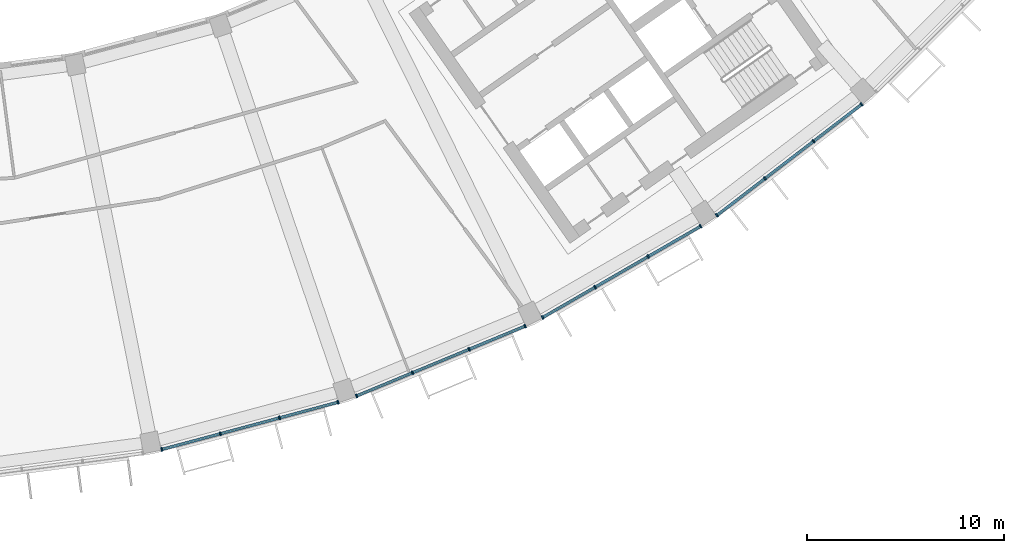
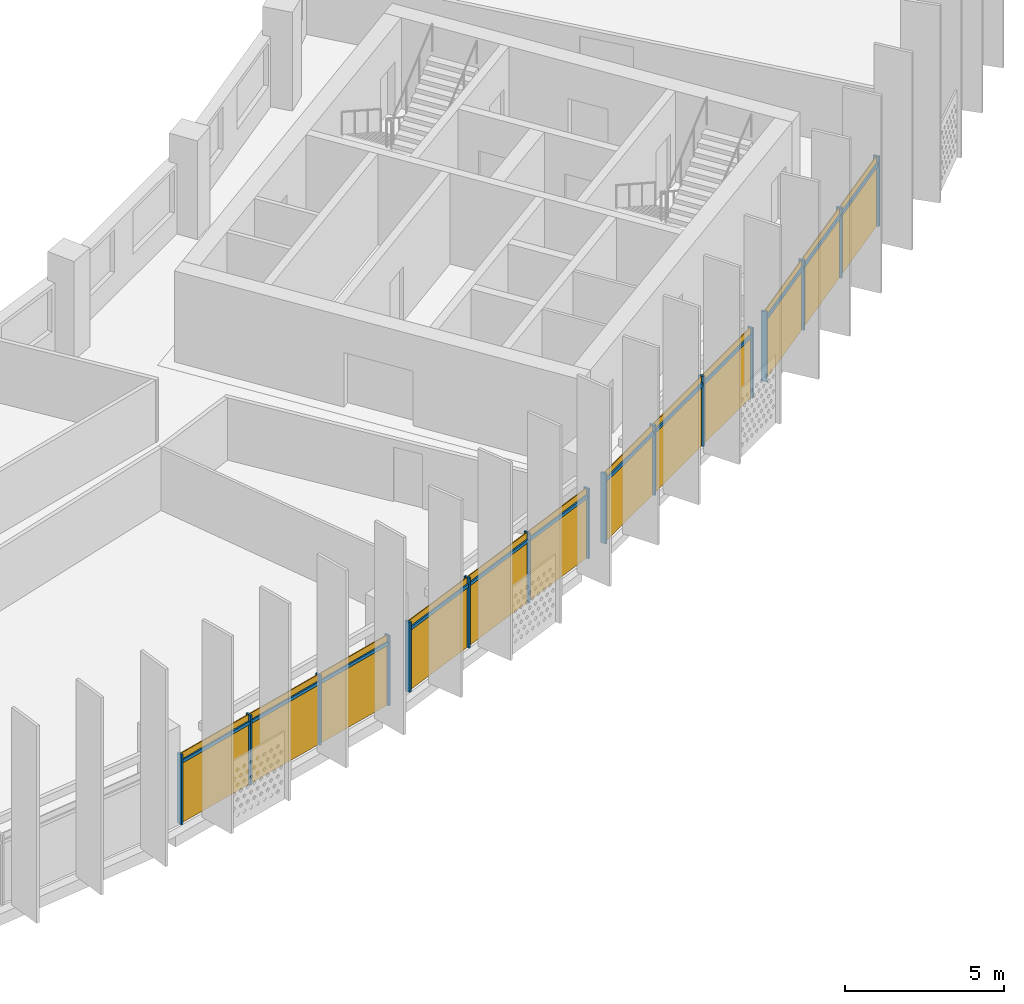
# One storey, part 21 of 28: 28 members, 4 curtain walls.
"""IFC4 building model written with IfcOpenShell, lengths in metres."""

import ifcopenshell
import ifcopenshell.guid

model = None  # the IFC model being written
_history = None  # IfcOwnerHistory: only IFC2X3 demands one
_inside = {}  # id of a spatial element -> (the spatial element, [elements in it])
_under = {}  # id of a project, library or spatial element -> (it, [spatial elements below it])
_declared = {}  # id of a project -> (the project, [libraries it declares])
_typed = {}  # id of a type object -> (the type object, [elements of that type])
_made_of = {}  # id of a material, layer set ... -> (it, [elements and type objects made of it])


def new_model(schema):
    """Start an empty IFC model of exactly this schema.

    Asked for "IFC4X3", IfcOpenShell would pick the latest addendum, in which some entities
    have other attributes; the version numbers below select the first issue.
    IFC2X3 requires an IfcOwnerHistory on every rooted entity: one is made here for all.
    """
    global model, _history
    if schema == "IFC4X3":
        model = ifcopenshell.file(schema_version=(4, 3, 0, 0))
    else:
        model = ifcopenshell.file(schema=schema)
    _inside.clear()
    _under.clear()
    _declared.clear()
    _typed.clear()
    _made_of.clear()
    _history = None
    if model.schema == "IFC2X3":
        org = make("IfcOrganization", Name="unknown")
        user = make(
            "IfcPersonAndOrganization",
            ThePerson=make("IfcPerson", FamilyName="unknown"),
            TheOrganization=org,
        )
        app = make(
            "IfcApplication",
            ApplicationDeveloper=org,
            Version="unknown",
            ApplicationFullName="unknown",
            ApplicationIdentifier="unknown",
        )
        _history = make(
            "IfcOwnerHistory",
            OwningUser=user,
            OwningApplication=app,
            ChangeAction="ADDED",
            CreationDate=0,
        )
    return model


def make(cls, **values):
    """One entity of the class cls with the attributes given. An attribute that is None is left unset."""
    return model.create_entity(
        cls, **{name: value for name, value in values.items() if value is not None}
    )


def rooted(cls, **values):
    """An entity with a GlobalId (a new one), such as an element, a storey or a relation."""
    return make(cls, GlobalId=ifcopenshell.guid.new(), OwnerHistory=_history, **values)


def si_unit(unit_type, name, prefix=None):
    """IfcSIUnit, for example si_unit("LENGTHUNIT", "METRE", prefix="MILLI")."""
    return make("IfcSIUnit", UnitType=unit_type, Prefix=prefix, Name=name)


def assignment(units):
    """IfcUnitAssignment: the units of a project."""
    return None if units is None else make("IfcUnitAssignment", Units=units)


def point(xyz):
    """IfcCartesianPoint."""
    return None if xyz is None else make("IfcCartesianPoint", Coordinates=xyz)


def direction(xyz):
    """IfcDirection."""
    return None if xyz is None else make("IfcDirection", DirectionRatios=xyz)


def frame(location, z_axis=None, x_axis=None):
    """IfcAxis2Placement3D, a coordinate frame: its origin and axes. An axis left out is left unset."""
    return make(
        "IfcAxis2Placement3D",
        Location=point(location),
        Axis=direction(z_axis),
        RefDirection=direction(x_axis),
    )


def frame_2d(location, x_axis=None):
    """IfcAxis2Placement2D, a coordinate frame in the plane: its origin and x axis."""
    return make(
        "IfcAxis2Placement2D", Location=point(location), RefDirection=direction(x_axis)
    )


def origin():
    """The frame at (0, 0, 0) with its axes left unset."""
    return frame((0.0, 0.0, 0.0))


def origin_2d():
    """The frame at (0, 0) in the plane with its x axis left unset."""
    return frame_2d((0.0, 0.0))


def place(relative_to, where):
    """IfcLocalPlacement: puts the frame where relative to a parent placement (None: the world)."""
    return make(
        "IfcLocalPlacement", PlacementRelTo=relative_to, RelativePlacement=where
    )


def context(
    kind, dimensions, precision=None, world=None, true_north=None, identifier=None
):
    """IfcGeometricRepresentationContext, for example the 3D "Model" context."""
    return make(
        "IfcGeometricRepresentationContext",
        ContextIdentifier=identifier,
        ContextType=kind,
        CoordinateSpaceDimension=dimensions,
        Precision=precision,
        WorldCoordinateSystem=world,
        TrueNorth=true_north,
    )


def subcontext(parent, identifier, kind, view, scale=None):
    """IfcGeometricRepresentationSubContext, for example "Body" below "Model"."""
    return make(
        "IfcGeometricRepresentationSubContext",
        ContextIdentifier=identifier,
        ContextType=kind,
        ParentContext=parent,
        TargetScale=scale,
        TargetView=view,
    )


def project(units=None, contexts=None):
    """IfcProject with its units and contexts."""
    return rooted(
        "IfcProject",
        Name="project",
        RepresentationContexts=contexts,
        UnitsInContext=assignment(units),
    )


def spatial(cls, under=None, at=None, **own):
    """A site, building, storey or space (cls), placed at a placement, below another one or the project."""
    s = rooted(cls, ObjectPlacement=at, **own)
    if under is not None:
        _under.setdefault(under.id(), (under, []))[1].append(s)
    return s


def profile(cls, at=None, kind="AREA", **sizes):
    """A parametric profile (cls). Its sizes go by their IFC names, for example OverallWidth=200.0."""
    return make(cls, ProfileType=kind, Position=at, **sizes)


def rectangle(**sizes):
    """IfcRectangleProfileDef."""
    return profile("IfcRectangleProfileDef", **sizes)


def extrude(swept, where, along, depth):
    """IfcExtrudedAreaSolid: the profile swept, set in the frame where, extruded along a direction by depth."""
    return make(
        "IfcExtrudedAreaSolid",
        SweptArea=swept,
        Position=where,
        ExtrudedDirection=direction(along),
        Depth=depth,
    )


def shape(context_of_items, identifier, shape_type, items):
    """IfcShapeRepresentation: the items that make up one representation, for example the "Body"."""
    return make(
        "IfcShapeRepresentation",
        ContextOfItems=context_of_items,
        RepresentationIdentifier=identifier,
        RepresentationType=shape_type,
        Items=items,
    )


def material(Name=None, Category=None):
    """IfcMaterial."""
    return make("IfcMaterial", Name=Name, Category=Category)


def material_profile(
    of_material, cross_section, Name=None, Category=None, Priority=None
):
    """IfcMaterialProfile: a cross section and its material."""
    return make(
        "IfcMaterialProfile",
        Name=Name,
        Material=of_material,
        Profile=cross_section,
        Priority=Priority,
        Category=Category,
    )


def profile_set(profiles, Name=None, composite=None):
    """IfcMaterialProfileSet."""
    return make(
        "IfcMaterialProfileSet",
        Name=Name,
        MaterialProfiles=profiles,
        CompositeProfile=composite,
    )


def made_of(thing, what):
    """Note that an element or type object is made of a material, layer set ...; save() writes the relation."""
    if what is not None:
        _made_of.setdefault(what.id(), (what, []))[1].append(thing)
    return thing


def type_object(cls, material=None, **own):
    """A type object (cls), such as IfcWallType, which elements share."""
    return made_of(rooted(cls, **own), material)


def element(
    cls,
    number,
    at=None,
    inside=None,
    cuts=None,
    type_object=None,
    material=None,
    context=None,
    identifier="Body",
    shape_type=None,
    held_by="IfcProductDefinitionShape",
    body=None,
    shapes=None,
    **own,
):
    """One element of the class cls, such as IfcWall. Its Tag is "e" and its number.

    at: its placement. inside: the storey or other place that contains it. cuts: it is an
    opening in that element (IfcRelVoidsElement). A single representation is given by context,
    identifier, shape_type and body (its items); several are given by shapes. held_by: the class
    of the entity that holds the representations. save() writes the other relations.
    """
    e = rooted(cls, Tag="e%d" % number, ObjectPlacement=at, **own)
    if body is not None:
        shapes = [shape(context, identifier, shape_type, body)]
    if shapes is not None:
        e.Representation = make(held_by, Representations=shapes)
    if inside is not None:
        _inside.setdefault(inside.id(), (inside, []))[1].append(e)
    if cuts is not None:
        rooted(
            "IfcRelVoidsElement", RelatingBuildingElement=cuts, RelatedOpeningElement=e
        )
    if type_object is not None:
        _typed.setdefault(type_object.id(), (type_object, []))[1].append(e)
    return made_of(e, material)


def aggregate(whole, parts):
    """IfcRelAggregates: a whole, such as a stair, and the parts it consists of."""
    return rooted("IfcRelAggregates", RelatingObject=whole, RelatedObjects=parts)


def save(model, path):
    """Write the relations noted so far, then the file.

    IfcRelAggregates (storeys below a building ...), IfcRelContainedInSpatialStructure (elements
    in a storey), IfcRelDefinesByType, IfcRelAssociatesMaterial and IfcRelDeclares: one each for
    every whole, place, type object, material and project.
    """
    for whole, parts in _under.values():
        aggregate(whole, parts)
    for where, things in _inside.values():
        rooted(
            "IfcRelContainedInSpatialStructure",
            RelatedElements=things,
            RelatingStructure=where,
        )
    for kind, things in _typed.values():
        rooted("IfcRelDefinesByType", RelatedObjects=things, RelatingType=kind)
    for what, things in _made_of.values():
        rooted("IfcRelAssociatesMaterial", RelatedObjects=things, RelatingMaterial=what)
    for by, libraries in _declared.values():
        rooted("IfcRelDeclares", RelatingContext=by, RelatedDefinitions=libraries)
    model.write(path)


model = new_model("IFC4")

# Units and contexts
model_context = context("Model", 3, precision=1e-05, world=origin(), true_north=direction((0.0, 1.0)))
body_context = subcontext(model_context, "Body", "Model", "MODEL_VIEW")
ifc_project = project(units=[si_unit("LENGTHUNIT", "METRE"), si_unit("AREAUNIT", "SQUARE_METRE"), si_unit("VOLUMEUNIT", "CUBIC_METRE"), si_unit("PLANEANGLEUNIT", "RADIAN"), si_unit("MASSUNIT", "GRAM", prefix="KILO")], contexts=[model_context])

# Member
ifc_material = material(Name="Aluminium 6063-T6 anodised", Category="aluminium")
ifc_material_profile_1 = material_profile(ifc_material, rectangle(XDim=0.199951171875, YDim=0.070068359375, at=origin_2d()))
ifc_profile_set_1 = profile_set([ifc_material_profile_1], Name="Aluminium 6063-T6 anodised")
member_type_1 = type_object("IfcMemberType", Name="Mullion 70 x 200 aluminium", PredefinedType="MULLION", material=ifc_profile_set_1)
site_placement = place(None, origin())
building_placement = place(site_placement, origin())
storey_placement = place(building_placement, frame((0.0, 0.0, 273.300048828125)))
member_1_placement = place(storey_placement, frame((15.742431640625, -76.618408203125, 0.0), z_axis=(0.0, 0.0, 1.0), x_axis=(-0.258819045103, 0.965925826289, 0.0)))
member_1 = element("IfcMember", 1, at=member_1_placement, type_object=member_type_1, Name="e-cw1-L66-out09/M00", PredefinedType="MULLION", context=body_context, shape_type="SweptSolid", body=[
    extrude(rectangle(XDim=0.199951171875, YDim=0.070068359375, at=origin_2d()), origin(), (0.0, 0.0, 1.0), 2.699951171875),
])

member_2_placement = place(storey_placement, frame((18.708984375, -75.82373046875, 0.0), z_axis=(0.0, 0.0, 1.0), x_axis=(-0.258819045103, 0.965925826289, 0.0)))
member_2 = element("IfcMember", 2, at=member_2_placement, type_object=member_type_1, Name="e-cw1-L66-out09/M01", PredefinedType="MULLION", context=body_context, shape_type="SweptSolid", body=[
    extrude(rectangle(XDim=0.199951171875, YDim=0.070068359375, at=origin_2d()), origin(), (0.0, 0.0, 1.0), 2.699951171875),
])

member_3_placement = place(storey_placement, frame((21.70947265625, -75.019775390625, 0.0), z_axis=(0.0, 0.0, 1.0), x_axis=(-0.258819045103, 0.965925826289, 0.0)))
member_3 = element("IfcMember", 3, at=member_3_placement, type_object=member_type_1, Name="e-cw1-L66-out09/M02", PredefinedType="MULLION", context=body_context, shape_type="SweptSolid", body=[
    extrude(rectangle(XDim=0.199951171875, YDim=0.070068359375, at=origin_2d()), origin(), (0.0, 0.0, 1.0), 2.699951171875),
])

member_4_placement = place(storey_placement, frame((24.676025390625, -74.224853515625, 0.0), z_axis=(0.0, 0.0, 1.0), x_axis=(-0.258819045103, 0.965925826289, 0.0)))
member_4 = element("IfcMember", 4, at=member_4_placement, type_object=member_type_1, Name="e-cw1-L66-out09/M03", PredefinedType="MULLION", context=body_context, shape_type="SweptSolid", body=[
    extrude(rectangle(XDim=0.199951171875, YDim=0.070068359375, at=origin_2d()), origin(), (0.0, 0.0, 1.0), 2.699951171875),
])

member_5_placement = place(storey_placement, frame((25.6083984375, -73.908203125, 0.0), z_axis=(0.0, 0.0, 1.0), x_axis=(-0.382683432365, 0.923879532511, 0.0)))
member_5 = element("IfcMember", 5, at=member_5_placement, type_object=member_type_1, Name="e-cw1-L66-out10/M00", PredefinedType="MULLION", context=body_context, shape_type="SweptSolid", body=[
    extrude(rectangle(XDim=0.199951171875, YDim=0.070068359375, at=origin_2d()), origin(), (0.0, 0.0, 1.0), 2.699951171875),
])

member_6_placement = place(storey_placement, frame((28.44580078125, -72.73291015625, 0.0), z_axis=(0.0, 0.0, 1.0), x_axis=(-0.382683432365, 0.923879532511, 0.0)))
member_6 = element("IfcMember", 6, at=member_6_placement, type_object=member_type_1, Name="e-cw1-L66-out10/M01", PredefinedType="MULLION", context=body_context, shape_type="SweptSolid", body=[
    extrude(rectangle(XDim=0.199951171875, YDim=0.070068359375, at=origin_2d()), origin(), (0.0, 0.0, 1.0), 2.699951171875),
])

member_7_placement = place(storey_placement, frame((31.315673828125, -71.544189453125, 0.0), z_axis=(0.0, 0.0, 1.0), x_axis=(-0.382683432365, 0.923879532511, 0.0)))
member_7 = element("IfcMember", 7, at=member_7_placement, type_object=member_type_1, Name="e-cw1-L66-out10/M02", PredefinedType="MULLION", context=body_context, shape_type="SweptSolid", body=[
    extrude(rectangle(XDim=0.199951171875, YDim=0.070068359375, at=origin_2d()), origin(), (0.0, 0.0, 1.0), 2.699951171875),
])

member_8_placement = place(storey_placement, frame((34.153076171875, -70.368896484375, 0.0), z_axis=(0.0, 0.0, 1.0), x_axis=(-0.382683432365, 0.923879532511, 0.0)))
member_8 = element("IfcMember", 8, at=member_8_placement, type_object=member_type_1, Name="e-cw1-L66-out10/M03", PredefinedType="MULLION", context=body_context, shape_type="SweptSolid", body=[
    extrude(rectangle(XDim=0.199951171875, YDim=0.070068359375, at=origin_2d()), origin(), (0.0, 0.0, 1.0), 2.699951171875),
])

member_9_placement = place(storey_placement, frame((35.036376953125, -69.933349609375, 0.0), z_axis=(0.0, 0.0, 1.0), x_axis=(-0.5, 0.866025403784, 0.0)))
member_9 = element("IfcMember", 9, at=member_9_placement, type_object=member_type_1, Name="e-cw1-L66-out11/M00", PredefinedType="MULLION", context=body_context, shape_type="SweptSolid", body=[
    extrude(rectangle(XDim=0.199951171875, YDim=0.070068359375, at=origin_2d()), origin(), (0.0, 0.0, 1.0), 2.699951171875),
])

member_10_placement = place(storey_placement, frame((37.696044921875, -68.397705078125, 0.0), z_axis=(0.0, 0.0, 1.0), x_axis=(-0.5, 0.866025403784, 0.0)))
member_10 = element("IfcMember", 10, at=member_10_placement, type_object=member_type_1, Name="e-cw1-L66-out11/M01", PredefinedType="MULLION", context=body_context, shape_type="SweptSolid", body=[
    extrude(rectangle(XDim=0.199951171875, YDim=0.070068359375, at=origin_2d()), origin(), (0.0, 0.0, 1.0), 2.699951171875),
])

member_11_placement = place(storey_placement, frame((40.38623046875, -66.8447265625, 0.0), z_axis=(0.0, 0.0, 1.0), x_axis=(-0.5, 0.866025403784, 0.0)))
member_11 = element("IfcMember", 11, at=member_11_placement, type_object=member_type_1, Name="e-cw1-L66-out11/M02", PredefinedType="MULLION", context=body_context, shape_type="SweptSolid", body=[
    extrude(rectangle(XDim=0.199951171875, YDim=0.070068359375, at=origin_2d()), origin(), (0.0, 0.0, 1.0), 2.699951171875),
])

member_12_placement = place(storey_placement, frame((43.0458984375, -65.30908203125, 0.0), z_axis=(0.0, 0.0, 1.0), x_axis=(-0.5, 0.866025403784, 0.0)))
member_12 = element("IfcMember", 12, at=member_12_placement, type_object=member_type_1, Name="e-cw1-L66-out11/M03", PredefinedType="MULLION", context=body_context, shape_type="SweptSolid", body=[
    extrude(rectangle(XDim=0.199951171875, YDim=0.070068359375, at=origin_2d()), origin(), (0.0, 0.0, 1.0), 2.699951171875),
])

member_13_placement = place(storey_placement, frame((43.86474609375, -64.761962890625, 0.0), z_axis=(0.0, 0.0, 1.0), x_axis=(-0.608761429009, 0.793353340291, 0.0)))
member_13 = element("IfcMember", 13, at=member_13_placement, type_object=member_type_1, Name="e-cw1-L66-out12/M00", PredefinedType="MULLION", context=body_context, shape_type="SweptSolid", body=[
    extrude(rectangle(XDim=0.199951171875, YDim=0.070068359375, at=origin_2d()), origin(), (0.0, 0.0, 1.0), 2.699951171875),
])

member_14_placement = place(storey_placement, frame((46.30126953125, -62.892333984375, 0.0), z_axis=(0.0, 0.0, 1.0), x_axis=(-0.608761429009, 0.793353340291, 0.0)))
member_14 = element("IfcMember", 14, at=member_14_placement, type_object=member_type_1, Name="e-cw1-L66-out12/M01", PredefinedType="MULLION", context=body_context, shape_type="SweptSolid", body=[
    extrude(rectangle(XDim=0.199951171875, YDim=0.070068359375, at=origin_2d()), origin(), (0.0, 0.0, 1.0), 2.699951171875),
])

member_15_placement = place(storey_placement, frame((48.765625, -61.001220703125, 0.0), z_axis=(0.0, 0.0, 1.0), x_axis=(-0.608761429009, 0.793353340291, 0.0)))
member_15 = element("IfcMember", 15, at=member_15_placement, type_object=member_type_1, Name="e-cw1-L66-out12/M02", PredefinedType="MULLION", context=body_context, shape_type="SweptSolid", body=[
    extrude(rectangle(XDim=0.199951171875, YDim=0.070068359375, at=origin_2d()), origin(), (0.0, 0.0, 1.0), 2.699951171875),
])

member_16_placement = place(storey_placement, frame((51.2021484375, -59.131591796875, 0.0), z_axis=(0.0, 0.0, 1.0), x_axis=(-0.608761429009, 0.793353340291, 0.0)))
member_16 = element("IfcMember", 16, at=member_16_placement, type_object=member_type_1, Name="e-cw1-L66-out12/M03", PredefinedType="MULLION", context=body_context, shape_type="SweptSolid", body=[
    extrude(rectangle(XDim=0.199951171875, YDim=0.070068359375, at=origin_2d()), origin(), (0.0, 0.0, 1.0), 2.699951171875),
])

ifc_material_profile_2 = material_profile(ifc_material, rectangle(XDim=0.139892578125, YDim=0.1201171875, at=origin_2d()))
ifc_profile_set_2 = profile_set([ifc_material_profile_2], Name="Aluminium 6063-T6 anodised")
member_type_2 = type_object("IfcMemberType", Name="Transom 120 x 140 aluminium", PredefinedType="USERDEFINED", material=ifc_profile_set_2)
member_17_placement = place(storey_placement, frame((15.776123046875, -76.609375, 2.39990234375), z_axis=(0.965944058071, 0.258750993577, 0.0), x_axis=(-0.258750993577, 0.965944058071, 0.0)))
member_17 = element("IfcMember", 17, at=member_17_placement, type_object=member_type_2, Name="e-cw1-L66-out09/T00", ObjectType="TRANSOM", PredefinedType="USERDEFINED", context=body_context, shape_type="SweptSolid", body=[
    extrude(rectangle(XDim=0.139892578125, YDim=0.1201171875, at=origin_2d()), origin(), (0.0, 0.0, 1.0), 3.00146484375),
])

member_18_placement = place(storey_placement, frame((18.74267578125, -75.814453125, 2.39990234375), z_axis=(0.965943386189, 0.258753501769, 0.0), x_axis=(-0.258753501769, 0.965943386189, 0.0)))
member_18 = element("IfcMember", 18, at=member_18_placement, type_object=member_type_2, Name="e-cw1-L66-out09/T01", ObjectType="TRANSOM", PredefinedType="USERDEFINED", context=body_context, shape_type="SweptSolid", body=[
    extrude(rectangle(XDim=0.139892578125, YDim=0.1201171875, at=origin_2d()), origin(), (0.0, 0.0, 1.0), 3.036376953125),
])

member_19_placement = place(storey_placement, frame((21.7431640625, -75.0107421875, 2.39990234375), z_axis=(0.965918275034, 0.258847225127, 0.0), x_axis=(-0.258847225127, 0.965918275034, 0.0)))
member_19 = element("IfcMember", 19, at=member_19_placement, type_object=member_type_2, Name="e-cw1-L66-out09/T02", ObjectType="TRANSOM", PredefinedType="USERDEFINED", context=body_context, shape_type="SweptSolid", body=[
    extrude(rectangle(XDim=0.139892578125, YDim=0.1201171875, at=origin_2d()), origin(), (0.0, 0.0, 1.0), 3.001220703125),
])

member_20_placement = place(storey_placement, frame((25.640869140625, -73.894775390625, 2.39990234375), z_axis=(0.923885958475, 0.382667918347, 0.0), x_axis=(-0.382667918347, 0.923885958475, 0.0)))
member_20 = element("IfcMember", 20, at=member_20_placement, type_object=member_type_2, Name="e-cw1-L66-out10/T00", ObjectType="TRANSOM", PredefinedType="USERDEFINED", context=body_context, shape_type="SweptSolid", body=[
    extrude(rectangle(XDim=0.139892578125, YDim=0.1201171875, at=origin_2d()), origin(), (0.0, 0.0, 1.0), 3.001220703125),
])

member_21_placement = place(storey_placement, frame((28.478271484375, -72.719482421875, 2.39990234375), z_axis=(0.923888454036, 0.38266189319, 0.0), x_axis=(-0.38266189319, 0.923888454036, 0.0)))
member_21 = element("IfcMember", 21, at=member_21_placement, type_object=member_type_2, Name="e-cw1-L66-out10/T01", ObjectType="TRANSOM", PredefinedType="USERDEFINED", context=body_context, shape_type="SweptSolid", body=[
    extrude(rectangle(XDim=0.139892578125, YDim=0.1201171875, at=origin_2d()), origin(), (0.0, 0.0, 1.0), 3.036376953125),
])

member_22_placement = place(storey_placement, frame((31.347900390625, -71.53076171875, 2.39990234375), z_axis=(0.923897869521, 0.382639159907, 0.0), x_axis=(-0.382639159907, 0.923897869521, 0.0)))
member_22 = element("IfcMember", 22, at=member_22_placement, type_object=member_type_2, Name="e-cw1-L66-out10/T02", ObjectType="TRANSOM", PredefinedType="USERDEFINED", context=body_context, shape_type="SweptSolid", body=[
    extrude(rectangle(XDim=0.139892578125, YDim=0.1201171875, at=origin_2d()), origin(), (0.0, 0.0, 1.0), 3.00146484375),
])

member_23_placement = place(storey_placement, frame((35.066650390625, -69.915771484375, 2.39990234375), z_axis=(0.866041993159, 0.49997126526, 0.0), x_axis=(-0.49997126526, 0.866041993159, 0.0)))
member_23 = element("IfcMember", 23, at=member_23_placement, type_object=member_type_2, Name="e-cw1-L66-out11/T00", ObjectType="TRANSOM", PredefinedType="USERDEFINED", context=body_context, shape_type="SweptSolid", body=[
    extrude(rectangle(XDim=0.139892578125, YDim=0.1201171875, at=origin_2d()), origin(), (0.0, 0.0, 1.0), 3.001220703125),
])

member_24_placement = place(storey_placement, frame((37.726318359375, -68.38037109375, 2.39990234375), z_axis=(0.866012861315, 0.500021723565, 0.0), x_axis=(-0.500021723565, 0.866012861315, 0.0)))
member_24 = element("IfcMember", 24, at=member_24_placement, type_object=member_type_2, Name="e-cw1-L66-out11/T01", ObjectType="TRANSOM", PredefinedType="USERDEFINED", context=body_context, shape_type="SweptSolid", body=[
    extrude(rectangle(XDim=0.139892578125, YDim=0.1201171875, at=origin_2d()), origin(), (0.0, 0.0, 1.0), 3.036376953125),
])

member_25_placement = place(storey_placement, frame((40.41650390625, -66.8271484375, 2.39990234375), z_axis=(0.866041993159, 0.49997126526, 0.0), x_axis=(-0.49997126526, 0.866041993159, 0.0)))
member_25 = element("IfcMember", 25, at=member_25_placement, type_object=member_type_2, Name="e-cw1-L66-out11/T02", ObjectType="TRANSOM", PredefinedType="USERDEFINED", context=body_context, shape_type="SweptSolid", body=[
    extrude(rectangle(XDim=0.139892578125, YDim=0.1201171875, at=origin_2d()), origin(), (0.0, 0.0, 1.0), 3.001220703125),
])

member_26_placement = place(storey_placement, frame((43.892578125, -64.74072265625, 2.39990234375), z_axis=(0.793312980955, 0.60881402271, 0.0), x_axis=(-0.60881402271, 0.793312980955, 0.0)))
member_26 = element("IfcMember", 26, at=member_26_placement, type_object=member_type_2, Name="e-cw1-L66-out12/T00", ObjectType="TRANSOM", PredefinedType="USERDEFINED", context=body_context, shape_type="SweptSolid", body=[
    extrude(rectangle(XDim=0.139892578125, YDim=0.1201171875, at=origin_2d()), origin(), (0.0, 0.0, 1.0), 3.001220703125),
])

member_27_placement = place(storey_placement, frame((46.3291015625, -62.87109375, 2.39990234375), z_axis=(0.79333190513, 0.608789362836, 0.0), x_axis=(-0.608789362836, 0.79333190513, 0.0)))
member_27 = element("IfcMember", 27, at=member_27_placement, type_object=member_type_2, Name="e-cw1-L66-out12/T01", ObjectType="TRANSOM", PredefinedType="USERDEFINED", context=body_context, shape_type="SweptSolid", body=[
    extrude(rectangle(XDim=0.139892578125, YDim=0.1201171875, at=origin_2d()), origin(), (0.0, 0.0, 1.0), 3.0361328125),
])

member_28_placement = place(storey_placement, frame((48.79345703125, -60.97998046875, 2.39990234375), z_axis=(0.793352271072, 0.60876282244, 0.0), x_axis=(-0.60876282244, 0.793352271072, 0.0)))
member_28 = element("IfcMember", 28, at=member_28_placement, type_object=member_type_2, Name="e-cw1-L66-out12/T02", ObjectType="TRANSOM", PredefinedType="USERDEFINED", context=body_context, shape_type="SweptSolid", body=[
    extrude(rectangle(XDim=0.139892578125, YDim=0.1201171875, at=origin_2d()), origin(), (0.0, 0.0, 1.0), 3.0009765625),
])

# Site, building, storey
site = spatial("IfcSite", under=ifc_project, at=site_placement, CompositionType="ELEMENT")
building = spatial("IfcBuilding", under=site, at=building_placement, Name="Qamariyya Broadcast Tower", CompositionType="ELEMENT")
storey = spatial("IfcBuildingStorey", under=building, at=storey_placement, Name="L66", CompositionType="ELEMENT", Elevation=273.300048828125)

# Curtain wall
curtain_wall_type = type_object("IfcCurtainWallType", Name="Unitised curtain wall, anodised aluminium", PredefinedType="NOTDEFINED", material=ifc_material)
curtain_wall_1_placement = place(storey_placement, origin())
curtain_wall_1 = element("IfcCurtainWall", 29, at=curtain_wall_1_placement, inside=storey, type_object=curtain_wall_type, Name="e-cw1-L66-out09", PredefinedType="NOTDEFINED", context=body_context, shape_type="SweptSolid", body=[
    extrude(rectangle(XDim=3.001220703125, YDim=0.031982421875, at=origin_2d()), frame((17.2255859375, -76.22119140625, 0.0), x_axis=(0.965925949265, 0.258818586151, 0.0)), (0.0, 0.0, 1.0), 2.340087890625),
    extrude(rectangle(XDim=3.001220703125, YDim=0.031982421875, at=origin_2d()), frame((17.2255859375, -76.22119140625, 2.4599609375), x_axis=(0.965925949265, 0.258818586151, 0.0)), (0.0, 0.0, 1.0), 0.239990234375),
    extrude(rectangle(XDim=3.0361328125, YDim=0.031982421875, at=origin_2d()), frame((20.208984375, -75.421875, 0.0), x_axis=(0.965925949265, 0.258818586151, 0.0)), (0.0, 0.0, 1.0), 2.340087890625),
    extrude(rectangle(XDim=3.0361328125, YDim=0.031982421875, at=origin_2d()), frame((20.208984375, -75.421875, 2.4599609375), x_axis=(0.965925949265, 0.258818586151, 0.0)), (0.0, 0.0, 1.0), 0.239990234375),
    extrude(rectangle(XDim=3.001220703125, YDim=0.031982421875, at=origin_2d()), frame((23.192626953125, -74.622314453125, 0.0), x_axis=(0.965925949265, 0.258818586151, 0.0)), (0.0, 0.0, 1.0), 2.340087890625),
    extrude(rectangle(XDim=3.001220703125, YDim=0.031982421875, at=origin_2d()), frame((23.192626953125, -74.622314453125, 2.4599609375), x_axis=(0.965925949265, 0.258818586151, 0.0)), (0.0, 0.0, 1.0), 0.239990234375),
])

aggregate(curtain_wall_1, [member_1, member_2, member_3, member_4, member_17, member_18, member_19])

curtain_wall_2_placement = place(storey_placement, origin())
curtain_wall_2 = element("IfcCurtainWall", 30, at=curtain_wall_2_placement, inside=storey, type_object=curtain_wall_type, Name="e-cw1-L66-out10", PredefinedType="NOTDEFINED", context=body_context, shape_type="SweptSolid", body=[
    extrude(rectangle(XDim=3.001220703125, YDim=0.031982421875, at=origin_2d()), frame((27.02734375, -73.320556640625, 0.0), x_axis=(0.923877930643, 0.382687299595, 0.0)), (0.0, 0.0, 1.0), 2.340087890625),
    extrude(rectangle(XDim=3.001220703125, YDim=0.031982421875, at=origin_2d()), frame((27.02734375, -73.320556640625, 2.4599609375), x_axis=(0.923877930643, 0.382687299595, 0.0)), (0.0, 0.0, 1.0), 0.239990234375),
    extrude(rectangle(XDim=3.0361328125, YDim=0.031982421875, at=origin_2d()), frame((29.880859375, -72.138671875, 0.0), x_axis=(0.923877930643, 0.382687299595, 0.0)), (0.0, 0.0, 1.0), 2.340087890625),
    extrude(rectangle(XDim=3.0361328125, YDim=0.031982421875, at=origin_2d()), frame((29.880859375, -72.138671875, 2.4599609375), x_axis=(0.923877930643, 0.382687299595, 0.0)), (0.0, 0.0, 1.0), 0.239990234375),
    extrude(rectangle(XDim=3.001220703125, YDim=0.031982421875, at=origin_2d()), frame((32.734375, -70.95654296875, 0.0), x_axis=(0.923877930643, 0.382687299595, 0.0)), (0.0, 0.0, 1.0), 2.340087890625),
    extrude(rectangle(XDim=3.001220703125, YDim=0.031982421875, at=origin_2d()), frame((32.734375, -70.95654296875, 2.4599609375), x_axis=(0.923877930643, 0.382687299595, 0.0)), (0.0, 0.0, 1.0), 0.239990234375),
])

aggregate(curtain_wall_2, [member_5, member_6, member_7, member_8, member_20, member_21, member_22])

curtain_wall_3_placement = place(storey_placement, origin())
curtain_wall_3 = element("IfcCurtainWall", 31, at=curtain_wall_3_placement, inside=storey, type_object=curtain_wall_type, Name="e-cw1-L66-out11", PredefinedType="NOTDEFINED", context=body_context, shape_type="SweptSolid", body=[
    extrude(rectangle(XDim=3.001220703125, YDim=0.031982421875, at=origin_2d()), frame((36.3662109375, -69.16552734375, 0.0), x_axis=(0.866017611601, 0.500013496215, 0.0)), (0.0, 0.0, 1.0), 2.340087890625),
    extrude(rectangle(XDim=3.001220703125, YDim=0.031982421875, at=origin_2d()), frame((36.3662109375, -69.16552734375, 2.4599609375), x_axis=(0.866017611601, 0.500013496215, 0.0)), (0.0, 0.0, 1.0), 0.239990234375),
    extrude(rectangle(XDim=3.0361328125, YDim=0.031982421875, at=origin_2d()), frame((39.041015625, -67.62109375, 0.0), x_axis=(0.866017611601, 0.500013496215, 0.0)), (0.0, 0.0, 1.0), 2.340087890625),
    extrude(rectangle(XDim=3.0361328125, YDim=0.031982421875, at=origin_2d()), frame((39.041015625, -67.62109375, 2.4599609375), x_axis=(0.866017611601, 0.500013496215, 0.0)), (0.0, 0.0, 1.0), 0.239990234375),
    extrude(rectangle(XDim=3.001220703125, YDim=0.031982421875, at=origin_2d()), frame((41.716064453125, -66.076904296875, 0.0), x_axis=(0.866017611601, 0.500013496215, 0.0)), (0.0, 0.0, 1.0), 2.340087890625),
    extrude(rectangle(XDim=3.001220703125, YDim=0.031982421875, at=origin_2d()), frame((41.716064453125, -66.076904296875, 2.4599609375), x_axis=(0.866017611601, 0.500013496215, 0.0)), (0.0, 0.0, 1.0), 0.239990234375),
])

aggregate(curtain_wall_3, [member_9, member_10, member_11, member_12, member_23, member_24, member_25])

curtain_wall_4_placement = place(storey_placement, origin())
curtain_wall_4 = element("IfcCurtainWall", 32, at=curtain_wall_4_placement, inside=storey, type_object=curtain_wall_type, Name="e-cw1-L66-out12", PredefinedType="NOTDEFINED", context=body_context, shape_type="SweptSolid", body=[
    extrude(rectangle(XDim=3.001220703125, YDim=0.031982421875, at=origin_2d()), frame((45.0830078125, -63.8271484375, 0.0), x_axis=(0.793355818396, 0.608758199466, 0.0)), (0.0, 0.0, 1.0), 2.340087890625),
    extrude(rectangle(XDim=3.001220703125, YDim=0.031982421875, at=origin_2d()), frame((45.0830078125, -63.8271484375, 2.4599609375), x_axis=(0.793355818396, 0.608758199466, 0.0)), (0.0, 0.0, 1.0), 0.239990234375),
    extrude(rectangle(XDim=3.0361328125, YDim=0.031982421875, at=origin_2d()), frame((47.533447265625, -61.94677734375, 0.0), x_axis=(0.793355818396, 0.608758199466, 0.0)), (0.0, 0.0, 1.0), 2.340087890625),
    extrude(rectangle(XDim=3.0361328125, YDim=0.031982421875, at=origin_2d()), frame((47.533447265625, -61.94677734375, 2.4599609375), x_axis=(0.793355818396, 0.608758199466, 0.0)), (0.0, 0.0, 1.0), 0.239990234375),
    extrude(rectangle(XDim=3.001220703125, YDim=0.031982421875, at=origin_2d()), frame((49.98388671875, -60.06640625, 0.0), x_axis=(0.793355818396, 0.608758199466, 0.0)), (0.0, 0.0, 1.0), 2.340087890625),
    extrude(rectangle(XDim=3.001220703125, YDim=0.031982421875, at=origin_2d()), frame((49.98388671875, -60.06640625, 2.4599609375), x_axis=(0.793355818396, 0.608758199466, 0.0)), (0.0, 0.0, 1.0), 0.239990234375),
])

aggregate(curtain_wall_4, [member_13, member_14, member_15, member_16, member_26, member_27, member_28])

save(model, "model.ifc")
